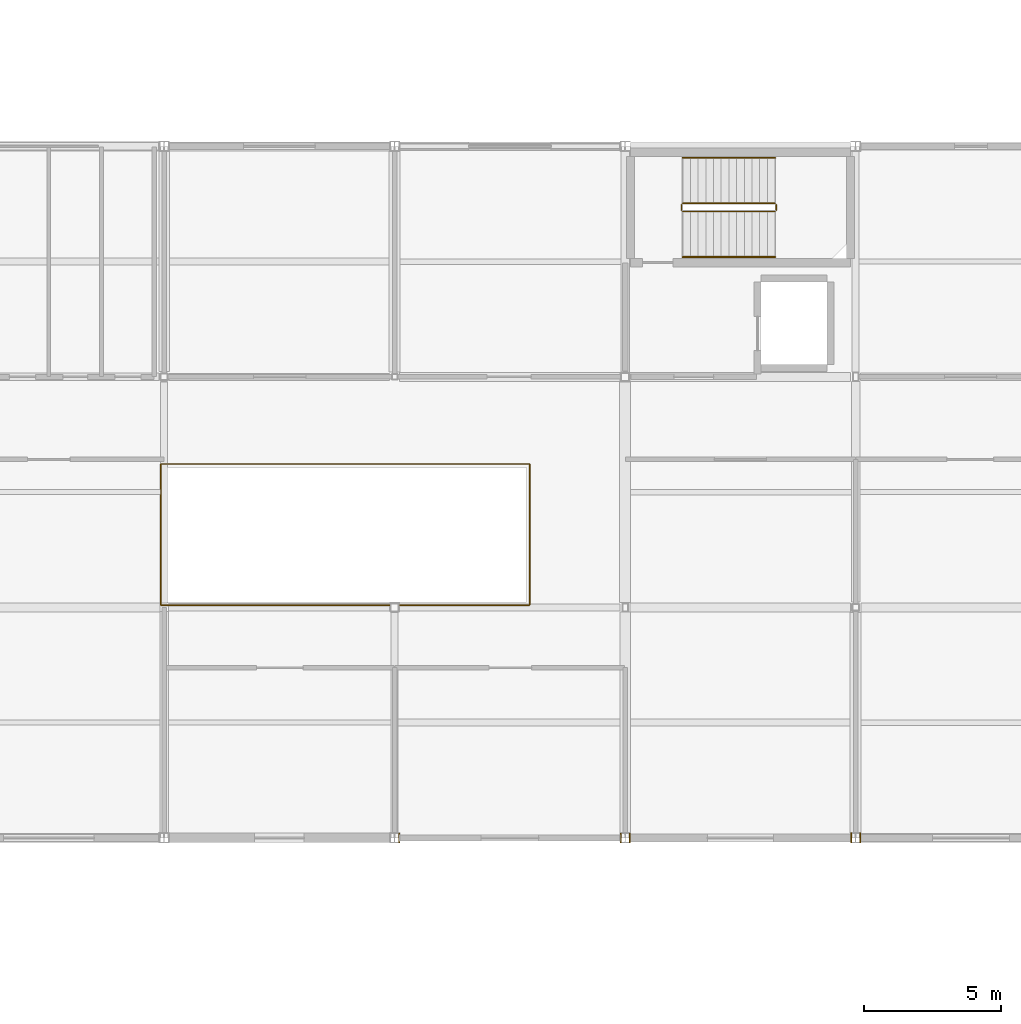
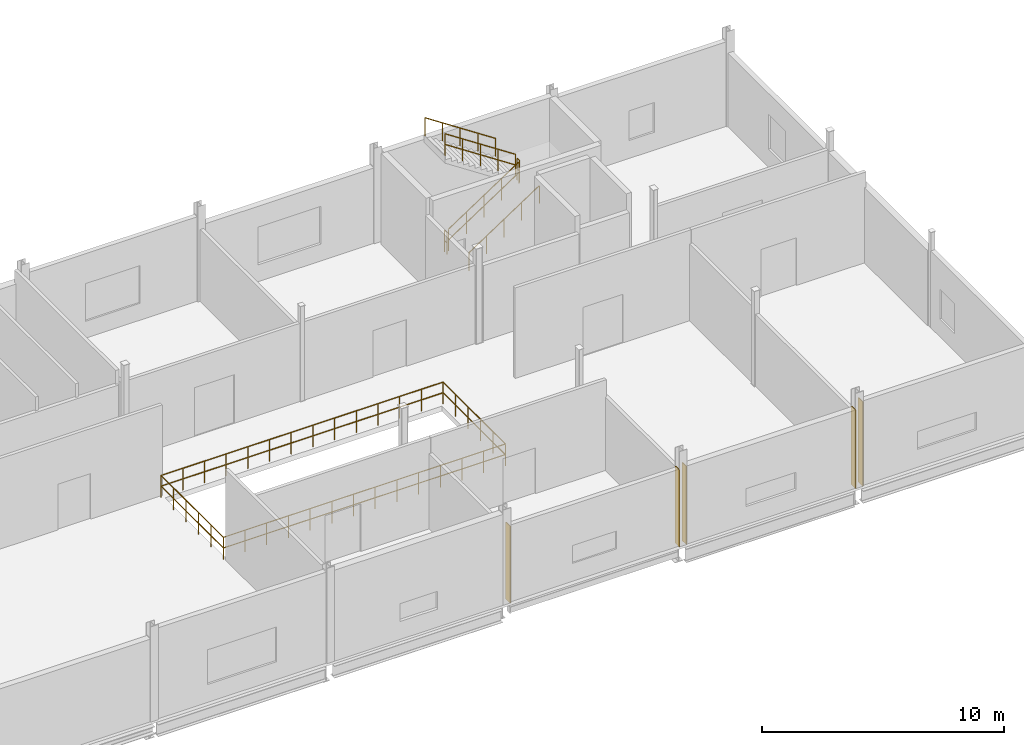
# One storey, part 38 of 45: 7 railings, 5 coverings.
"""IFC4 building model written with IfcOpenShell, lengths in metres."""

import ifcopenshell
import ifcopenshell.guid

model = None  # the IFC model being written
_history = None  # IfcOwnerHistory: only IFC2X3 demands one
_inside = {}  # id of a spatial element -> (the spatial element, [elements in it])
_under = {}  # id of a project, library or spatial element -> (it, [spatial elements below it])
_declared = {}  # id of a project -> (the project, [libraries it declares])
_typed = {}  # id of a type object -> (the type object, [elements of that type])
_made_of = {}  # id of a material, layer set ... -> (it, [elements and type objects made of it])


def new_model(schema):
    """Start an empty IFC model of exactly this schema.

    Asked for "IFC4X3", IfcOpenShell would pick the latest addendum, in which some entities
    have other attributes; the version numbers below select the first issue.
    IFC2X3 requires an IfcOwnerHistory on every rooted entity: one is made here for all.
    """
    global model, _history
    if schema == "IFC4X3":
        model = ifcopenshell.file(schema_version=(4, 3, 0, 0))
    else:
        model = ifcopenshell.file(schema=schema)
    _inside.clear()
    _under.clear()
    _declared.clear()
    _typed.clear()
    _made_of.clear()
    _history = None
    if model.schema == "IFC2X3":
        org = make("IfcOrganization", Name="unknown")
        user = make(
            "IfcPersonAndOrganization",
            ThePerson=make("IfcPerson", FamilyName="unknown"),
            TheOrganization=org,
        )
        app = make(
            "IfcApplication",
            ApplicationDeveloper=org,
            Version="unknown",
            ApplicationFullName="unknown",
            ApplicationIdentifier="unknown",
        )
        _history = make(
            "IfcOwnerHistory",
            OwningUser=user,
            OwningApplication=app,
            ChangeAction="ADDED",
            CreationDate=0,
        )
    return model


def make(cls, **values):
    """One entity of the class cls with the attributes given. An attribute that is None is left unset."""
    return model.create_entity(
        cls, **{name: value for name, value in values.items() if value is not None}
    )


def rooted(cls, **values):
    """An entity with a GlobalId (a new one), such as an element, a storey or a relation."""
    return make(cls, GlobalId=ifcopenshell.guid.new(), OwnerHistory=_history, **values)


def si_unit(unit_type, name, prefix=None):
    """IfcSIUnit, for example si_unit("LENGTHUNIT", "METRE", prefix="MILLI")."""
    return make("IfcSIUnit", UnitType=unit_type, Prefix=prefix, Name=name)


def assignment(units):
    """IfcUnitAssignment: the units of a project."""
    return None if units is None else make("IfcUnitAssignment", Units=units)


def point(xyz):
    """IfcCartesianPoint."""
    return None if xyz is None else make("IfcCartesianPoint", Coordinates=xyz)


def direction(xyz):
    """IfcDirection."""
    return None if xyz is None else make("IfcDirection", DirectionRatios=xyz)


def frame(location, z_axis=None, x_axis=None):
    """IfcAxis2Placement3D, a coordinate frame: its origin and axes. An axis left out is left unset."""
    return make(
        "IfcAxis2Placement3D",
        Location=point(location),
        Axis=direction(z_axis),
        RefDirection=direction(x_axis),
    )


def frame_2d(location, x_axis=None):
    """IfcAxis2Placement2D, a coordinate frame in the plane: its origin and x axis."""
    return make(
        "IfcAxis2Placement2D", Location=point(location), RefDirection=direction(x_axis)
    )


def origin():
    """The frame at (0, 0, 0) with its axes left unset."""
    return frame((0.0, 0.0, 0.0))


def origin_2d():
    """The frame at (0, 0) in the plane with its x axis left unset."""
    return frame_2d((0.0, 0.0))


def place(relative_to, where):
    """IfcLocalPlacement: puts the frame where relative to a parent placement (None: the world)."""
    return make(
        "IfcLocalPlacement", PlacementRelTo=relative_to, RelativePlacement=where
    )


def context(
    kind, dimensions, precision=None, world=None, true_north=None, identifier=None
):
    """IfcGeometricRepresentationContext, for example the 3D "Model" context."""
    return make(
        "IfcGeometricRepresentationContext",
        ContextIdentifier=identifier,
        ContextType=kind,
        CoordinateSpaceDimension=dimensions,
        Precision=precision,
        WorldCoordinateSystem=world,
        TrueNorth=true_north,
    )


def subcontext(parent, identifier, kind, view, scale=None):
    """IfcGeometricRepresentationSubContext, for example "Body" below "Model"."""
    return make(
        "IfcGeometricRepresentationSubContext",
        ContextIdentifier=identifier,
        ContextType=kind,
        ParentContext=parent,
        TargetScale=scale,
        TargetView=view,
    )


def project(units=None, contexts=None):
    """IfcProject with its units and contexts."""
    return rooted(
        "IfcProject",
        Name="project",
        RepresentationContexts=contexts,
        UnitsInContext=assignment(units),
    )


def spatial(cls, under=None, at=None, **own):
    """A site, building, storey or space (cls), placed at a placement, below another one or the project."""
    s = rooted(cls, ObjectPlacement=at, **own)
    if under is not None:
        _under.setdefault(under.id(), (under, []))[1].append(s)
    return s


def polyline(points):
    """IfcPolyline through the points."""
    return make("IfcPolyline", Points=[point(p) for p in points])


def profile(cls, at=None, kind="AREA", **sizes):
    """A parametric profile (cls). Its sizes go by their IFC names, for example OverallWidth=200.0."""
    return make(cls, ProfileType=kind, Position=at, **sizes)


def circle(**sizes):
    """IfcCircleProfileDef."""
    return profile("IfcCircleProfileDef", **sizes)


def outline(outer, holes=None, kind="AREA"):
    """IfcArbitraryClosedProfileDef: a profile drawn as a closed curve; with holes, ...WithVoids."""
    if holes is None:
        return make("IfcArbitraryClosedProfileDef", ProfileType=kind, OuterCurve=outer)
    return make(
        "IfcArbitraryProfileDefWithVoids",
        ProfileType=kind,
        OuterCurve=outer,
        InnerCurves=holes,
    )


def extrude(swept, where, along, depth):
    """IfcExtrudedAreaSolid: the profile swept, set in the frame where, extruded along a direction by depth."""
    return make(
        "IfcExtrudedAreaSolid",
        SweptArea=swept,
        Position=where,
        ExtrudedDirection=direction(along),
        Depth=depth,
    )


def shape(context_of_items, identifier, shape_type, items):
    """IfcShapeRepresentation: the items that make up one representation, for example the "Body"."""
    return make(
        "IfcShapeRepresentation",
        ContextOfItems=context_of_items,
        RepresentationIdentifier=identifier,
        RepresentationType=shape_type,
        Items=items,
    )


def material(Name=None, Category=None):
    """IfcMaterial."""
    return make("IfcMaterial", Name=Name, Category=Category)


def layer(
    of_material, thickness, ventilated=None, Name=None, Category=None, Priority=None
):
    """IfcMaterialLayer: one layer of a wall or slab, of a material (None: an air gap)."""
    return make(
        "IfcMaterialLayer",
        Material=of_material,
        LayerThickness=thickness,
        IsVentilated=ventilated,
        Name=Name,
        Category=Category,
        Priority=Priority,
    )


def layer_set(layers, Name=None):
    """IfcMaterialLayerSet."""
    return make("IfcMaterialLayerSet", MaterialLayers=layers, LayerSetName=Name)


def made_of(thing, what):
    """Note that an element or type object is made of a material, layer set ...; save() writes the relation."""
    if what is not None:
        _made_of.setdefault(what.id(), (what, []))[1].append(thing)
    return thing


def type_object(cls, material=None, **own):
    """A type object (cls), such as IfcWallType, which elements share."""
    return made_of(rooted(cls, **own), material)


def element(
    cls,
    number,
    at=None,
    inside=None,
    cuts=None,
    type_object=None,
    material=None,
    context=None,
    identifier="Body",
    shape_type=None,
    held_by="IfcProductDefinitionShape",
    body=None,
    shapes=None,
    **own,
):
    """One element of the class cls, such as IfcWall. Its Tag is "e" and its number.

    at: its placement. inside: the storey or other place that contains it. cuts: it is an
    opening in that element (IfcRelVoidsElement). A single representation is given by context,
    identifier, shape_type and body (its items); several are given by shapes. held_by: the class
    of the entity that holds the representations. save() writes the other relations.
    """
    e = rooted(cls, Tag="e%d" % number, ObjectPlacement=at, **own)
    if body is not None:
        shapes = [shape(context, identifier, shape_type, body)]
    if shapes is not None:
        e.Representation = make(held_by, Representations=shapes)
    if inside is not None:
        _inside.setdefault(inside.id(), (inside, []))[1].append(e)
    if cuts is not None:
        rooted(
            "IfcRelVoidsElement", RelatingBuildingElement=cuts, RelatedOpeningElement=e
        )
    if type_object is not None:
        _typed.setdefault(type_object.id(), (type_object, []))[1].append(e)
    return made_of(e, material)


def aggregate(whole, parts):
    """IfcRelAggregates: a whole, such as a stair, and the parts it consists of."""
    return rooted("IfcRelAggregates", RelatingObject=whole, RelatedObjects=parts)


def save(model, path):
    """Write the relations noted so far, then the file.

    IfcRelAggregates (storeys below a building ...), IfcRelContainedInSpatialStructure (elements
    in a storey), IfcRelDefinesByType, IfcRelAssociatesMaterial and IfcRelDeclares: one each for
    every whole, place, type object, material and project.
    """
    for whole, parts in _under.values():
        aggregate(whole, parts)
    for where, things in _inside.values():
        rooted(
            "IfcRelContainedInSpatialStructure",
            RelatedElements=things,
            RelatingStructure=where,
        )
    for kind, things in _typed.values():
        rooted("IfcRelDefinesByType", RelatedObjects=things, RelatingType=kind)
    for what, things in _made_of.values():
        rooted("IfcRelAssociatesMaterial", RelatedObjects=things, RelatingMaterial=what)
    for by, libraries in _declared.values():
        rooted("IfcRelDeclares", RelatingContext=by, RelatedDefinitions=libraries)
    model.write(path)


model = new_model("IFC4")

# Units and contexts
model_context = context("Model", 3, precision=1e-05, world=origin(), true_north=direction((0.0, 1.0)))
body_context = subcontext(model_context, "Body", "Model", "MODEL_VIEW")
ifc_project = project(units=[si_unit("LENGTHUNIT", "METRE"), si_unit("AREAUNIT", "SQUARE_METRE"), si_unit("VOLUMEUNIT", "CUBIC_METRE"), si_unit("PLANEANGLEUNIT", "RADIAN"), si_unit("MASSUNIT", "GRAM", prefix="KILO")], contexts=[model_context])

# Site, building, storey
site_placement = place(None, origin())
site = spatial("IfcSite", under=ifc_project, at=site_placement, CompositionType="ELEMENT")
building_placement = place(site_placement, origin())
building = spatial("IfcBuilding", under=site, at=building_placement, Name="Calvrana Isthmian Art Gallery", CompositionType="ELEMENT")
storey_placement = place(building_placement, frame((0.0, 0.0, 19.800048828125)))
storey = spatial("IfcBuildingStorey", under=building, at=storey_placement, Name="L04", CompositionType="ELEMENT", Elevation=19.800048828125)

# Coverings
ifc_material_1 = material(Name="Polychrome glazed terracotta", Category="masonry")
ifc_layer = layer(ifc_material_1, 0.0400390625, Name="Polychrome glazed terracotta")
ifc_layer_set = layer_set([ifc_layer], Name="Polychrome glazed terracotta")
covering_type = type_object("IfcCoveringType", Name="COV-CLAD-TERRA", PredefinedType="CLADDING", material=ifc_layer_set)
covering_1_placement = place(storey_placement, origin())
element("IfcCovering", 1, at=covering_1_placement, inside=storey, type_object=covering_type, Name="Column pocket weather closure L04-07-03-W", PredefinedType="CLADDING", context=body_context, shape_type="SweptSolid", body=[
    extrude(outline(polyline([(55.345458984375, 21.423583984375), (55.385498046875, 21.423583984375), (55.385498046875, 21.776611328125), (55.345458984375, 21.776611328125), (55.345458984375, 21.423583984375)])), origin(), (0.0, 0.0, 1.0), 3.866943359375),
])
covering_2_placement = place(storey_placement, origin())
element("IfcCovering", 2, at=covering_2_placement, inside=storey, type_object=covering_type, Name="Column pocket weather closure L04-07-03-E", PredefinedType="CLADDING", context=body_context, shape_type="SweptSolid", body=[
    extrude(outline(polyline([(63.416015625, 21.427001953125), (63.4560546875, 21.427001953125), (63.4560546875, 21.77294921875), (63.416015625, 21.77294921875), (63.416015625, 21.427001953125)])), origin(), (0.0, 0.0, 1.0), 3.866943359375),
])
covering_3_placement = place(storey_placement, origin())
element("IfcCovering", 3, at=covering_3_placement, inside=storey, type_object=covering_type, Name="Column pocket weather closure L04-08-03-W", PredefinedType="CLADDING", context=body_context, shape_type="SweptSolid", body=[
    extrude(outline(polyline([(63.743896484375, 21.427001953125), (63.783935546875, 21.427001953125), (63.783935546875, 21.77294921875), (63.743896484375, 21.77294921875), (63.743896484375, 21.427001953125)])), origin(), (0.0, 0.0, 1.0), 3.93798828125),
])
covering_4_placement = place(storey_placement, origin())
element("IfcCovering", 4, at=covering_4_placement, inside=storey, type_object=covering_type, Name="Column pocket weather closure L04-08-03-E", PredefinedType="CLADDING", context=body_context, shape_type="SweptSolid", body=[
    extrude(outline(polyline([(71.8134765625, 21.41845703125), (71.853515625, 21.41845703125), (71.853515625, 21.781494140625), (71.8134765625, 21.781494140625), (71.8134765625, 21.41845703125)])), origin(), (0.0, 0.0, 1.0), 3.93798828125),
])
covering_5_placement = place(storey_placement, origin())
element("IfcCovering", 5, at=covering_5_placement, inside=storey, type_object=covering_type, Name="Column pocket weather closure L04-09-03-W", PredefinedType="CLADDING", context=body_context, shape_type="SweptSolid", body=[
    extrude(outline(polyline([(72.146484375, 21.41845703125), (72.1865234375, 21.41845703125), (72.1865234375, 21.781494140625), (72.146484375, 21.781494140625), (72.146484375, 21.41845703125)])), origin(), (0.0, 0.0, 1.0), 4.255126953125),
])

# Railings
ifc_material_2 = material(Name="Stainless steel 316", Category="steel")
railing_type_1 = type_object("IfcRailingType", Name="RL-GUARD-1120", PredefinedType="BALUSTRADE", material=ifc_material_2)
railing_1_placement = place(storey_placement, frame((65.699951171875, 44.419921875, 0.1845703125)))
element("IfcRailing", 6, at=railing_1_placement, inside=storey, type_object=railing_type_1, Name="Stair ST-2 guard L04-1", PredefinedType="BALUSTRADE", context=body_context, shape_type="SweptSolid", body=[
    extrude(circle(Radius=0.02392578125, at=origin_2d()), frame((0.0, 0.0, 1.09619140625), z_axis=(0.834876476806, 0.0, 0.550437342915), x_axis=(0.0, 1.0, 0.0)), (0.0, 0.0, 1.0), 4.024658203125),
    extrude(circle(Radius=0.02392578125, at=origin_2d()), frame((0.0, 0.0, 0.56005859375), z_axis=(0.834876476806, 0.0, 0.550437342915), x_axis=(0.0, 1.0, 0.0)), (0.0, 0.0, 1.0), 4.024658203125),
    extrude(circle(Radius=0.02099609375, at=origin_2d()), origin(), (0.0, 0.0, 1.0), 1.072021484375),
    extrude(circle(Radius=0.02099609375, at=origin_2d()), frame((0.840087890625, 0.0, 0.5537109375)), (0.0, 0.0, 1.0), 1.072021484375),
    extrude(circle(Radius=0.02099609375, at=origin_2d()), frame((1.68017578125, 0.0, 1.107666015625)), (0.0, 0.0, 1.0), 1.072021484375),
    extrude(circle(Radius=0.02099609375, at=origin_2d()), frame((2.52001953125, 0.0, 1.66162109375)), (0.0, 0.0, 1.0), 1.072021484375),
    extrude(circle(Radius=0.02099609375, at=origin_2d()), frame((3.360107421875, 0.0, 2.21533203125)), (0.0, 0.0, 1.0), 1.072021484375),
])
railing_2_placement = place(storey_placement, frame((69.110107421875, 44.469970703125, 2.39990234375)))
element("IfcRailing", 7, at=railing_2_placement, inside=storey, type_object=railing_type_1, Name="Stair ST-2 guard L04-2", PredefinedType="BALUSTRADE", context=body_context, shape_type="SweptSolid", body=[
    extrude(circle(Radius=0.02392578125, at=origin_2d()), frame((0.0, 0.0, 1.09619140625), z_axis=(0.0, 1.0, 0.0), x_axis=(-1.0, 0.0, 0.0)), (0.0, 0.0, 1.0), 0.199951171875),
    extrude(circle(Radius=0.02392578125, at=origin_2d()), frame((0.0, 0.0, 0.56005859375), z_axis=(0.0, 1.0, 0.0), x_axis=(-1.0, 0.0, 0.0)), (0.0, 0.0, 1.0), 0.199951171875),
    extrude(circle(Radius=0.02099609375, at=origin_2d()), origin(), (0.0, 0.0, 1.0), 1.072021484375),
    extrude(circle(Radius=0.02099609375, at=origin_2d()), frame((0.0, 0.199951171875, 0.0)), (0.0, 0.0, 1.0), 1.072021484375),
])
railing_3_placement = place(storey_placement, frame((69.06005859375, 44.719970703125, 2.58447265625)))
element("IfcRailing", 8, at=railing_3_placement, inside=storey, type_object=railing_type_1, Name="Stair ST-2 guard L04-3", PredefinedType="BALUSTRADE", context=body_context, shape_type="SweptSolid", body=[
    extrude(circle(Radius=0.02392578125, at=origin_2d()), frame((0.0, 0.0, 1.09619140625), z_axis=(-0.834848600103, 0.0, 0.550479622607), x_axis=(0.0, -1.0, 0.0)), (0.0, 0.0, 1.0), 4.02490234375),
    extrude(circle(Radius=0.02392578125, at=origin_2d()), frame((0.0, 0.0, 0.56005859375), z_axis=(-0.834848600103, 0.0, 0.550479622607), x_axis=(0.0, -1.0, 0.0)), (0.0, 0.0, 1.0), 4.02490234375),
    extrude(circle(Radius=0.02099609375, at=origin_2d()), origin(), (0.0, 0.0, 1.0), 1.072021484375),
    extrude(circle(Radius=0.02099609375, at=origin_2d()), frame((-0.840087890625, 0.0, 0.553955078125)), (0.0, 0.0, 1.0), 1.072021484375),
    extrude(circle(Radius=0.02099609375, at=origin_2d()), frame((-1.68017578125, 0.0, 1.10791015625)), (0.0, 0.0, 1.0), 1.072021484375),
    extrude(circle(Radius=0.02099609375, at=origin_2d()), frame((-2.52001953125, 0.0, 1.66162109375)), (0.0, 0.0, 1.0), 1.072021484375),
    extrude(circle(Radius=0.02099609375, at=origin_2d()), frame((-3.360107421875, 0.0, 2.215576171875)), (0.0, 0.0, 1.0), 1.072021484375),
])
railing_4_placement = place(storey_placement, frame((65.64990234375, 44.469970703125, 0.0)))
element("IfcRailing", 9, at=railing_4_placement, inside=storey, type_object=railing_type_1, Name="Stair ST-2 guard L04-4", PredefinedType="BALUSTRADE", context=body_context, shape_type="SweptSolid", body=[
    extrude(circle(Radius=0.02392578125, at=origin_2d()), frame((0.0, 0.0, 1.09619140625), z_axis=(0.0, 1.0, 0.0), x_axis=(-1.0, 0.0, 0.0)), (0.0, 0.0, 1.0), 0.199951171875),
    extrude(circle(Radius=0.02392578125, at=origin_2d()), frame((0.0, 0.0, 0.56005859375), z_axis=(0.0, 1.0, 0.0), x_axis=(-1.0, 0.0, 0.0)), (0.0, 0.0, 1.0), 0.199951171875),
    extrude(circle(Radius=0.02099609375, at=origin_2d()), origin(), (0.0, 0.0, 1.0), 1.072021484375),
    extrude(circle(Radius=0.02099609375, at=origin_2d()), frame((0.0, 0.199951171875, 0.0)), (0.0, 0.0, 1.0), 1.072021484375),
])
railing_5_placement = place(storey_placement, frame((46.679931640625, 30.080078125, 0.0)))
element("IfcRailing", 10, at=railing_5_placement, inside=storey, type_object=railing_type_1, Name="Gallery atrium void balustrade L04", PredefinedType="BALUSTRADE", context=body_context, shape_type="SweptSolid", body=[
    extrude(circle(Radius=0.02392578125, at=origin_2d()), frame((0.0, 0.0, 1.09619140625), z_axis=(1.0, 0.0, 0.0), x_axis=(0.0, 1.0, 0.0)), (0.0, 0.0, 1.0), 13.440185546875),
    extrude(circle(Radius=0.02392578125, at=origin_2d()), frame((0.0, 0.0, 0.56005859375), z_axis=(1.0, 0.0, 0.0), x_axis=(0.0, 1.0, 0.0)), (0.0, 0.0, 1.0), 13.440185546875),
    extrude(circle(Radius=0.02392578125, at=origin_2d()), frame((13.440185546875, 0.0, 1.09619140625), z_axis=(0.0, 1.0, 0.0), x_axis=(-1.0, 0.0, 0.0)), (0.0, 0.0, 1.0), 5.139892578125),
    extrude(circle(Radius=0.02392578125, at=origin_2d()), frame((13.440185546875, 0.0, 0.56005859375), z_axis=(0.0, 1.0, 0.0), x_axis=(-1.0, 0.0, 0.0)), (0.0, 0.0, 1.0), 5.139892578125),
    extrude(circle(Radius=0.02392578125, at=origin_2d()), frame((13.440185546875, 5.139892578125, 1.09619140625), z_axis=(-1.0, 0.0, 0.0), x_axis=(0.0, -1.0, 0.0)), (0.0, 0.0, 1.0), 13.440185546875),
    extrude(circle(Radius=0.02392578125, at=origin_2d()), frame((13.440185546875, 5.139892578125, 0.56005859375), z_axis=(-1.0, 0.0, 0.0), x_axis=(0.0, -1.0, 0.0)), (0.0, 0.0, 1.0), 13.440185546875),
    extrude(circle(Radius=0.02392578125, at=origin_2d()), frame((0.0, 5.139892578125, 1.09619140625), z_axis=(0.0, -1.0, 0.0), x_axis=(1.0, 0.0, 0.0)), (0.0, 0.0, 1.0), 5.139892578125),
    extrude(circle(Radius=0.02392578125, at=origin_2d()), frame((0.0, 5.139892578125, 0.56005859375), z_axis=(0.0, -1.0, 0.0), x_axis=(1.0, 0.0, 0.0)), (0.0, 0.0, 1.0), 5.139892578125),
    extrude(circle(Radius=0.02099609375, at=origin_2d()), origin(), (0.0, 0.0, 1.0), 1.072021484375),
    extrude(circle(Radius=0.02099609375, at=origin_2d()), frame((1.033935546875, 0.0, 0.0)), (0.0, 0.0, 1.0), 1.072021484375),
    extrude(circle(Radius=0.02099609375, at=origin_2d()), frame((2.067626953125, 0.0, 0.0)), (0.0, 0.0, 1.0), 1.072021484375),
    extrude(circle(Radius=0.02099609375, at=origin_2d()), frame((3.1015625, 0.0, 0.0)), (0.0, 0.0, 1.0), 1.072021484375),
    extrude(circle(Radius=0.02099609375, at=origin_2d()), frame((4.135498046875, 0.0, 0.0)), (0.0, 0.0, 1.0), 1.072021484375),
    extrude(circle(Radius=0.02099609375, at=origin_2d()), frame((5.169189453125, 0.0, 0.0)), (0.0, 0.0, 1.0), 1.072021484375),
    extrude(circle(Radius=0.02099609375, at=origin_2d()), frame((6.203125, 0.0, 0.0)), (0.0, 0.0, 1.0), 1.072021484375),
    extrude(circle(Radius=0.02099609375, at=origin_2d()), frame((7.237060546875, 0.0, 0.0)), (0.0, 0.0, 1.0), 1.072021484375),
    extrude(circle(Radius=0.02099609375, at=origin_2d()), frame((8.27099609375, 0.0, 0.0)), (0.0, 0.0, 1.0), 1.072021484375),
    extrude(circle(Radius=0.02099609375, at=origin_2d()), frame((9.3046875, 0.0, 0.0)), (0.0, 0.0, 1.0), 1.072021484375),
    extrude(circle(Radius=0.02099609375, at=origin_2d()), frame((10.338623046875, 0.0, 0.0)), (0.0, 0.0, 1.0), 1.072021484375),
    extrude(circle(Radius=0.02099609375, at=origin_2d()), frame((11.37255859375, 0.0, 0.0)), (0.0, 0.0, 1.0), 1.072021484375),
    extrude(circle(Radius=0.02099609375, at=origin_2d()), frame((12.40625, 0.0, 0.0)), (0.0, 0.0, 1.0), 1.072021484375),
    extrude(circle(Radius=0.02099609375, at=origin_2d()), frame((13.440185546875, 0.0, 0.0)), (0.0, 0.0, 1.0), 1.072021484375),
    extrude(circle(Radius=0.02099609375, at=origin_2d()), frame((13.440185546875, 1.028076171875, 0.0)), (0.0, 0.0, 1.0), 1.072021484375),
    extrude(circle(Radius=0.02099609375, at=origin_2d()), frame((13.440185546875, 2.055908203125, 0.0)), (0.0, 0.0, 1.0), 1.072021484375),
    extrude(circle(Radius=0.02099609375, at=origin_2d()), frame((13.440185546875, 3.083984375, 0.0)), (0.0, 0.0, 1.0), 1.072021484375),
    extrude(circle(Radius=0.02099609375, at=origin_2d()), frame((13.440185546875, 4.11181640625, 0.0)), (0.0, 0.0, 1.0), 1.072021484375),
    extrude(circle(Radius=0.02099609375, at=origin_2d()), frame((13.440185546875, 5.139892578125, 0.0)), (0.0, 0.0, 1.0), 1.072021484375),
    extrude(circle(Radius=0.02099609375, at=origin_2d()), frame((12.40625, 5.139892578125, 0.0)), (0.0, 0.0, 1.0), 1.072021484375),
    extrude(circle(Radius=0.02099609375, at=origin_2d()), frame((11.37255859375, 5.139892578125, 0.0)), (0.0, 0.0, 1.0), 1.072021484375),
    extrude(circle(Radius=0.02099609375, at=origin_2d()), frame((10.338623046875, 5.139892578125, 0.0)), (0.0, 0.0, 1.0), 1.072021484375),
    extrude(circle(Radius=0.02099609375, at=origin_2d()), frame((9.3046875, 5.139892578125, 0.0)), (0.0, 0.0, 1.0), 1.072021484375),
    extrude(circle(Radius=0.02099609375, at=origin_2d()), frame((8.27099609375, 5.139892578125, 0.0)), (0.0, 0.0, 1.0), 1.072021484375),
    extrude(circle(Radius=0.02099609375, at=origin_2d()), frame((7.237060546875, 5.139892578125, 0.0)), (0.0, 0.0, 1.0), 1.072021484375),
    extrude(circle(Radius=0.02099609375, at=origin_2d()), frame((6.203125, 5.139892578125, 0.0)), (0.0, 0.0, 1.0), 1.072021484375),
    extrude(circle(Radius=0.02099609375, at=origin_2d()), frame((5.169189453125, 5.139892578125, 0.0)), (0.0, 0.0, 1.0), 1.072021484375),
    extrude(circle(Radius=0.02099609375, at=origin_2d()), frame((4.135498046875, 5.139892578125, 0.0)), (0.0, 0.0, 1.0), 1.072021484375),
    extrude(circle(Radius=0.02099609375, at=origin_2d()), frame((3.1015625, 5.139892578125, 0.0)), (0.0, 0.0, 1.0), 1.072021484375),
    extrude(circle(Radius=0.02099609375, at=origin_2d()), frame((2.067626953125, 5.139892578125, 0.0)), (0.0, 0.0, 1.0), 1.072021484375),
    extrude(circle(Radius=0.02099609375, at=origin_2d()), frame((1.033935546875, 5.139892578125, 0.0)), (0.0, 0.0, 1.0), 1.072021484375),
    extrude(circle(Radius=0.02099609375, at=origin_2d()), frame((0.0, 5.139892578125, 0.0)), (0.0, 0.0, 1.0), 1.072021484375),
    extrude(circle(Radius=0.02099609375, at=origin_2d()), frame((0.0, 4.11181640625, 0.0)), (0.0, 0.0, 1.0), 1.072021484375),
    extrude(circle(Radius=0.02099609375, at=origin_2d()), frame((0.0, 3.083984375, 0.0)), (0.0, 0.0, 1.0), 1.072021484375),
    extrude(circle(Radius=0.02099609375, at=origin_2d()), frame((0.0, 2.055908203125, 0.0)), (0.0, 0.0, 1.0), 1.072021484375),
    extrude(circle(Radius=0.02099609375, at=origin_2d()), frame((0.0, 1.028076171875, 0.0)), (0.0, 0.0, 1.0), 1.072021484375),
])
railing_type_2 = type_object("IfcRailingType", Name="RL-HAND-920", PredefinedType="HANDRAIL", material=ifc_material_2)
railing_6_placement = place(storey_placement, frame((65.699951171875, 42.760009765625, 0.1845703125)))
element("IfcRailing", 11, at=railing_6_placement, inside=storey, type_object=railing_type_2, Name="Stair ST-2 handrail L04-1", PredefinedType="HANDRAIL", context=body_context, shape_type="SweptSolid", body=[
    extrude(circle(Radius=0.02392578125, at=origin_2d()), frame((0.0, 0.0, 0.89599609375), z_axis=(0.834876476806, 0.0, 0.550437342915), x_axis=(0.0, 1.0, 0.0)), (0.0, 0.0, 1.0), 4.024658203125),
    extrude(circle(Radius=0.02099609375, at=origin_2d()), origin(), (0.0, 0.0, 1.0), 0.871826171875),
    extrude(circle(Radius=0.02099609375, at=origin_2d()), frame((0.840087890625, 0.0, 0.5537109375)), (0.0, 0.0, 1.0), 0.871826171875),
    extrude(circle(Radius=0.02099609375, at=origin_2d()), frame((1.68017578125, 0.0, 1.107666015625)), (0.0, 0.0, 1.0), 0.871826171875),
    extrude(circle(Radius=0.02099609375, at=origin_2d()), frame((2.52001953125, 0.0, 1.66162109375)), (0.0, 0.0, 1.0), 0.871826171875),
    extrude(circle(Radius=0.02099609375, at=origin_2d()), frame((3.360107421875, 0.0, 2.21533203125)), (0.0, 0.0, 1.0), 0.871826171875),
])
railing_7_placement = place(storey_placement, frame((69.06005859375, 46.3798828125, 2.58447265625)))
element("IfcRailing", 12, at=railing_7_placement, inside=storey, type_object=railing_type_2, Name="Stair ST-2 handrail L04-2", PredefinedType="HANDRAIL", context=body_context, shape_type="SweptSolid", body=[
    extrude(circle(Radius=0.02392578125, at=origin_2d()), frame((0.0, 0.0, 0.89599609375), z_axis=(-0.834848600103, 0.0, 0.550479622607), x_axis=(0.0, -1.0, 0.0)), (0.0, 0.0, 1.0), 4.02490234375),
    extrude(circle(Radius=0.02099609375, at=origin_2d()), origin(), (0.0, 0.0, 1.0), 0.871826171875),
    extrude(circle(Radius=0.02099609375, at=origin_2d()), frame((-0.840087890625, 0.0, 0.553955078125)), (0.0, 0.0, 1.0), 0.871826171875),
    extrude(circle(Radius=0.02099609375, at=origin_2d()), frame((-1.68017578125, 0.0, 1.10791015625)), (0.0, 0.0, 1.0), 0.871826171875),
    extrude(circle(Radius=0.02099609375, at=origin_2d()), frame((-2.52001953125, 0.0, 1.66162109375)), (0.0, 0.0, 1.0), 0.871826171875),
    extrude(circle(Radius=0.02099609375, at=origin_2d()), frame((-3.360107421875, 0.0, 2.215576171875)), (0.0, 0.0, 1.0), 0.871826171875),
])

save(model, "model.ifc")
